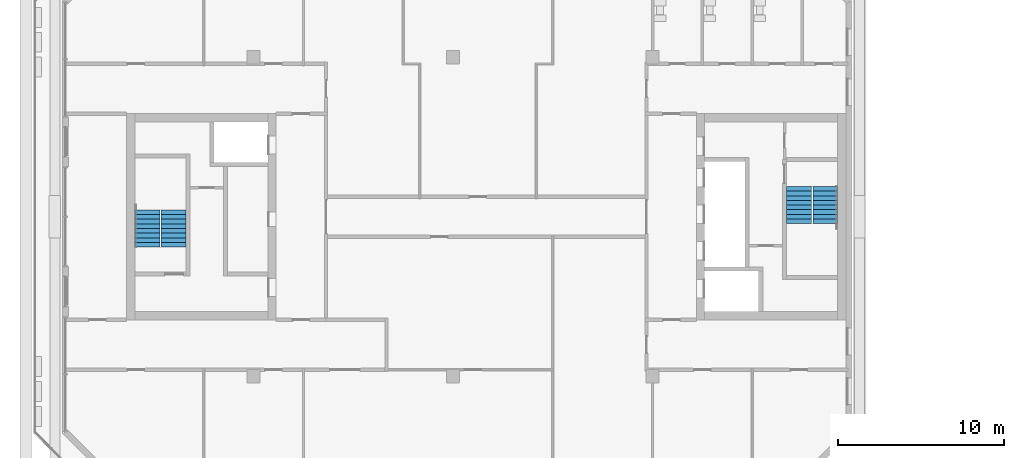
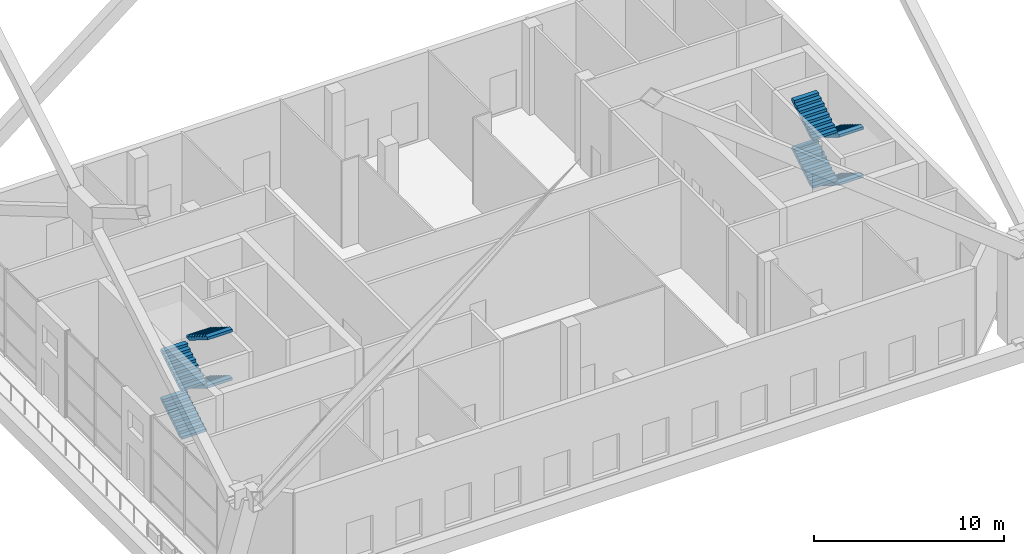
# One storey, part 18 of 20: 8 stair flights, 2 elements without a shape of their own.
"""IFC4 building model written with IfcOpenShell, lengths in metres."""

from ifc_helpers import new_model, si_unit, direction, frame, origin, place, context, subcontext, project, spatial, faceted_brep, material, type_object, element, aggregate, save


model = new_model("IFC4")

# Units and contexts
model_context = context("Model", 3, precision=1e-05, world=origin(), true_north=direction((0.0, 1.0)))
body_context = subcontext(model_context, "Body", "Model", "MODEL_VIEW")
ifc_project = project(units=[si_unit("LENGTHUNIT", "METRE"), si_unit("AREAUNIT", "SQUARE_METRE"), si_unit("VOLUMEUNIT", "CUBIC_METRE"), si_unit("PLANEANGLEUNIT", "RADIAN"), si_unit("MASSUNIT", "GRAM", prefix="KILO")], contexts=[model_context])

# Site, building, storey
site_placement = place(None, origin())
site = spatial("IfcSite", under=ifc_project, at=site_placement, CompositionType="ELEMENT")
building_placement = place(site_placement, origin())
building = spatial("IfcBuilding", under=site, at=building_placement, Name="Tuart Gate Housing", CompositionType="ELEMENT")
storey_placement = place(building_placement, frame((0.0, 0.0, 142.300048828125)))
storey = spatial("IfcBuildingStorey", under=building, at=storey_placement, Name="L40", CompositionType="ELEMENT", Elevation=142.300048828125)

# Stair, stair flights
ifc_material_1 = material(Name="Concrete C40", Category="concrete")
stair_type = type_object("IfcStairType", Name="Core stair 1500", PredefinedType="HALF_TURN_STAIR", material=ifc_material_1)
stair_1_placement = place(storey_placement, origin())
stair_1 = element("IfcStair", 1, at=stair_1_placement, inside=storey, type_object=stair_type, Name="Stair SA1", PredefinedType="HALF_TURN_STAIR")
ifc_material_2 = material(Name="Concrete C40", Category="concrete")
stair_flight_type = type_object("IfcStairFlightType", Name="Stair flight 1500, 9 risers 172 x 280", PredefinedType="STRAIGHT", material=ifc_material_2)
stair_flight_1_placement = place(storey_placement, frame((74.389892578125, 71.824951171875, 0.0), z_axis=(0.0, 0.0, 1.0), x_axis=(0.0, -1.0, 0.0)))
stair_flight_1 = element("IfcStairFlight", 2, at=stair_flight_1_placement, type_object=stair_flight_type, Name="SA1 flight 1", NumberOfRisers=9, NumberOfTreads=8, PredefinedType="STRAIGHT", RiserHeight=0.172222222, TreadLength=0.28, context=body_context, shape_type="Brep", body=[
    faceted_brep([(0.0, 0.75, 0.0), (0.0, 0.75, 0.172119140625), (0.280029296875, 0.75, 0.172119140625), (0.280029296875, 0.75, 0.344482421875), (0.56005859375, 0.75, 0.344482421875), (0.56005859375, 0.75, 0.5166015625), (0.840087890625, 0.75, 0.5166015625), (0.840087890625, 0.75, 0.68896484375), (1.1201171875, 0.75, 0.68896484375), (1.1201171875, 0.75, 0.861083984375), (1.39990234375, 0.75, 0.861083984375), (1.39990234375, 0.75, 1.033447265625), (1.679931640625, 0.75, 1.033447265625), (1.679931640625, 0.75, 1.20556640625), (1.9599609375, 0.75, 1.20556640625), (1.9599609375, 0.75, 1.377685546875), (2.239990234375, 0.75, 1.377685546875), (2.239990234375, 0.75, 1.201904296875), (0.2861328125, 0.75, 0.0), (0.2861328125, -0.75, 0.0), (2.239990234375, -0.75, 1.201904296875), (2.239990234375, -0.75, 1.377685546875), (1.9599609375, -0.75, 1.377685546875), (1.9599609375, -0.75, 1.20556640625), (1.679931640625, -0.75, 1.20556640625), (1.679931640625, -0.75, 1.033447265625), (1.39990234375, -0.75, 1.033447265625), (1.39990234375, -0.75, 0.861083984375), (1.1201171875, -0.75, 0.861083984375), (1.1201171875, -0.75, 0.68896484375), (0.840087890625, -0.75, 0.68896484375), (0.840087890625, -0.75, 0.5166015625), (0.56005859375, -0.75, 0.5166015625), (0.56005859375, -0.75, 0.344482421875), (0.280029296875, -0.75, 0.344482421875), (0.280029296875, -0.75, 0.172119140625), (0.0, -0.75, 0.172119140625), (0.0, -0.75, 0.0), (2.239990234375, 0.0, 1.201904296875), (0.2861328125, 0.0, 0.0), (2.239990234375, 0.0, 1.377685546875), (1.9599609375, 0.0, 1.377685546875), (1.9599609375, 0.0, 1.20556640625), (1.679931640625, 0.0, 1.20556640625), (1.679931640625, 0.0, 1.033447265625), (1.39990234375, 0.0, 1.033447265625), (1.39990234375, 0.0, 0.861083984375), (1.1201171875, 0.0, 0.861083984375), (1.1201171875, 0.0, 0.68896484375), (0.840087890625, 0.0, 0.68896484375), (0.840087890625, 0.0, 0.5166015625), (0.56005859375, 0.0, 0.5166015625), (0.56005859375, 0.0, 0.344482421875), (0.280029296875, 0.0, 0.344482421875), (0.280029296875, 0.0, 0.172119140625), (0.0, 0.0, 0.172119140625), (0.0, 0.0, 0.0)], [[[0, 1, 2, 3, 4, 5, 6, 7, 8, 9, 10, 11, 12, 13, 14, 15, 16, 17, 18]], [[19, 20, 21, 22, 23, 24, 25, 26, 27, 28, 29, 30, 31, 32, 33, 34, 35, 36, 37]], [[18, 17, 38, 39]], [[39, 38, 20, 19]], [[17, 16, 40, 38]], [[38, 40, 21, 20]], [[16, 15, 41, 40]], [[40, 41, 22, 21]], [[15, 14, 42, 41]], [[41, 42, 23, 22]], [[14, 13, 43, 42]], [[42, 43, 24, 23]], [[13, 12, 44, 43]], [[43, 44, 25, 24]], [[12, 11, 45, 44]], [[44, 45, 26, 25]], [[11, 10, 46, 45]], [[45, 46, 27, 26]], [[10, 9, 47, 46]], [[46, 47, 28, 27]], [[9, 8, 48, 47]], [[47, 48, 29, 28]], [[8, 7, 49, 48]], [[48, 49, 30, 29]], [[7, 6, 50, 49]], [[49, 50, 31, 30]], [[6, 5, 51, 50]], [[50, 51, 32, 31]], [[5, 4, 52, 51]], [[51, 52, 33, 32]], [[4, 3, 53, 52]], [[52, 53, 34, 33]], [[3, 2, 54, 53]], [[53, 54, 35, 34]], [[2, 1, 55, 54]], [[54, 55, 36, 35]], [[1, 0, 56, 55]], [[55, 56, 37, 36]], [[0, 18, 39, 56]], [[56, 39, 19, 37]]]),
])
stair_flight_2_placement = place(storey_placement, frame((72.81494140625, 69.5849609375, 1.550048828125), z_axis=(0.0, 0.0, 1.0), x_axis=(0.0, 1.0, 0.0)))
stair_flight_2 = element("IfcStairFlight", 3, at=stair_flight_2_placement, type_object=stair_flight_type, Name="SA1 flight 2", NumberOfRisers=9, NumberOfTreads=8, PredefinedType="STRAIGHT", RiserHeight=0.172222222, TreadLength=0.28, context=body_context, shape_type="Brep", body=[
    faceted_brep([(0.0, 0.75, 0.0), (0.0, 0.75, 0.172119140625), (0.280029296875, 0.75, 0.172119140625), (0.280029296875, 0.75, 0.344482421875), (0.56005859375, 0.75, 0.344482421875), (0.56005859375, 0.75, 0.5166015625), (0.840087890625, 0.75, 0.5166015625), (0.840087890625, 0.75, 0.68896484375), (1.1201171875, 0.75, 0.68896484375), (1.1201171875, 0.75, 0.861083984375), (1.39990234375, 0.75, 0.861083984375), (1.39990234375, 0.75, 1.033447265625), (1.679931640625, 0.75, 1.033447265625), (1.679931640625, 0.75, 1.20556640625), (1.9599609375, 0.75, 1.20556640625), (1.9599609375, 0.75, 1.377685546875), (2.239990234375, 0.75, 1.377685546875), (2.239990234375, 0.75, 1.201904296875), (0.2861328125, 0.75, 0.0), (0.2861328125, -0.75, 0.0), (2.239990234375, -0.75, 1.201904296875), (2.239990234375, -0.75, 1.377685546875), (1.9599609375, -0.75, 1.377685546875), (1.9599609375, -0.75, 1.20556640625), (1.679931640625, -0.75, 1.20556640625), (1.679931640625, -0.75, 1.033447265625), (1.39990234375, -0.75, 1.033447265625), (1.39990234375, -0.75, 0.861083984375), (1.1201171875, -0.75, 0.861083984375), (1.1201171875, -0.75, 0.68896484375), (0.840087890625, -0.75, 0.68896484375), (0.840087890625, -0.75, 0.5166015625), (0.56005859375, -0.75, 0.5166015625), (0.56005859375, -0.75, 0.344482421875), (0.280029296875, -0.75, 0.344482421875), (0.280029296875, -0.75, 0.172119140625), (0.0, -0.75, 0.172119140625), (0.0, -0.75, 0.0), (2.239990234375, 0.0, 1.201904296875), (0.2861328125, 0.0, 0.0), (2.239990234375, 0.0, 1.377685546875), (1.9599609375, 0.0, 1.377685546875), (1.9599609375, 0.0, 1.20556640625), (1.679931640625, 0.0, 1.20556640625), (1.679931640625, 0.0, 1.033447265625), (1.39990234375, 0.0, 1.033447265625), (1.39990234375, 0.0, 0.861083984375), (1.1201171875, 0.0, 0.861083984375), (1.1201171875, 0.0, 0.68896484375), (0.840087890625, 0.0, 0.68896484375), (0.840087890625, 0.0, 0.5166015625), (0.56005859375, 0.0, 0.5166015625), (0.56005859375, 0.0, 0.344482421875), (0.280029296875, 0.0, 0.344482421875), (0.280029296875, 0.0, 0.172119140625), (0.0, 0.0, 0.172119140625), (0.0, 0.0, 0.0)], [[[0, 1, 2, 3, 4, 5, 6, 7, 8, 9, 10, 11, 12, 13, 14, 15, 16, 17, 18]], [[19, 20, 21, 22, 23, 24, 25, 26, 27, 28, 29, 30, 31, 32, 33, 34, 35, 36, 37]], [[18, 17, 38, 39]], [[39, 38, 20, 19]], [[17, 16, 40, 38]], [[38, 40, 21, 20]], [[16, 15, 41, 40]], [[40, 41, 22, 21]], [[15, 14, 42, 41]], [[41, 42, 23, 22]], [[14, 13, 43, 42]], [[42, 43, 24, 23]], [[13, 12, 44, 43]], [[43, 44, 25, 24]], [[12, 11, 45, 44]], [[44, 45, 26, 25]], [[11, 10, 46, 45]], [[45, 46, 27, 26]], [[10, 9, 47, 46]], [[46, 47, 28, 27]], [[9, 8, 48, 47]], [[47, 48, 29, 28]], [[8, 7, 49, 48]], [[48, 49, 30, 29]], [[7, 6, 50, 49]], [[49, 50, 31, 30]], [[6, 5, 51, 50]], [[50, 51, 32, 31]], [[5, 4, 52, 51]], [[51, 52, 33, 32]], [[4, 3, 53, 52]], [[52, 53, 34, 33]], [[3, 2, 54, 53]], [[53, 54, 35, 34]], [[2, 1, 55, 54]], [[54, 55, 36, 35]], [[1, 0, 56, 55]], [[55, 56, 37, 36]], [[0, 18, 39, 56]], [[56, 39, 19, 37]]]),
])
stair_flight_3_placement = place(storey_placement, frame((74.389892578125, 71.824951171875, 3.099853515625), z_axis=(0.0, 0.0, 1.0), x_axis=(0.0, -1.0, 0.0)))
stair_flight_3 = element("IfcStairFlight", 4, at=stair_flight_3_placement, type_object=stair_flight_type, Name="SA1 flight 3", NumberOfRisers=9, NumberOfTreads=8, PredefinedType="STRAIGHT", RiserHeight=0.172222222, TreadLength=0.28, context=body_context, shape_type="Brep", body=[
    faceted_brep([(0.0, 0.75, 0.0), (0.0, 0.75, 0.172119140625), (0.280029296875, 0.75, 0.172119140625), (0.280029296875, 0.75, 0.344482421875), (0.56005859375, 0.75, 0.344482421875), (0.56005859375, 0.75, 0.5166015625), (0.840087890625, 0.75, 0.5166015625), (0.840087890625, 0.75, 0.68896484375), (1.1201171875, 0.75, 0.68896484375), (1.1201171875, 0.75, 0.861083984375), (1.39990234375, 0.75, 0.861083984375), (1.39990234375, 0.75, 1.033447265625), (1.679931640625, 0.75, 1.033447265625), (1.679931640625, 0.75, 1.20556640625), (1.9599609375, 0.75, 1.20556640625), (1.9599609375, 0.75, 1.377685546875), (2.239990234375, 0.75, 1.377685546875), (2.239990234375, 0.75, 1.201904296875), (0.2861328125, 0.75, 0.0), (0.2861328125, -0.75, 0.0), (2.239990234375, -0.75, 1.201904296875), (2.239990234375, -0.75, 1.377685546875), (1.9599609375, -0.75, 1.377685546875), (1.9599609375, -0.75, 1.20556640625), (1.679931640625, -0.75, 1.20556640625), (1.679931640625, -0.75, 1.033447265625), (1.39990234375, -0.75, 1.033447265625), (1.39990234375, -0.75, 0.861083984375), (1.1201171875, -0.75, 0.861083984375), (1.1201171875, -0.75, 0.68896484375), (0.840087890625, -0.75, 0.68896484375), (0.840087890625, -0.75, 0.5166015625), (0.56005859375, -0.75, 0.5166015625), (0.56005859375, -0.75, 0.344482421875), (0.280029296875, -0.75, 0.344482421875), (0.280029296875, -0.75, 0.172119140625), (0.0, -0.75, 0.172119140625), (0.0, -0.75, 0.0), (2.239990234375, 0.0, 1.201904296875), (0.2861328125, 0.0, 0.0), (2.239990234375, 0.0, 1.377685546875), (1.9599609375, 0.0, 1.377685546875), (1.9599609375, 0.0, 1.20556640625), (1.679931640625, 0.0, 1.20556640625), (1.679931640625, 0.0, 1.033447265625), (1.39990234375, 0.0, 1.033447265625), (1.39990234375, 0.0, 0.861083984375), (1.1201171875, 0.0, 0.861083984375), (1.1201171875, 0.0, 0.68896484375), (0.840087890625, 0.0, 0.68896484375), (0.840087890625, 0.0, 0.5166015625), (0.56005859375, 0.0, 0.5166015625), (0.56005859375, 0.0, 0.344482421875), (0.280029296875, 0.0, 0.344482421875), (0.280029296875, 0.0, 0.172119140625), (0.0, 0.0, 0.172119140625), (0.0, 0.0, 0.0)], [[[0, 1, 2, 3, 4, 5, 6, 7, 8, 9, 10, 11, 12, 13, 14, 15, 16, 17, 18]], [[19, 20, 21, 22, 23, 24, 25, 26, 27, 28, 29, 30, 31, 32, 33, 34, 35, 36, 37]], [[18, 17, 38, 39]], [[39, 38, 20, 19]], [[17, 16, 40, 38]], [[38, 40, 21, 20]], [[16, 15, 41, 40]], [[40, 41, 22, 21]], [[15, 14, 42, 41]], [[41, 42, 23, 22]], [[14, 13, 43, 42]], [[42, 43, 24, 23]], [[13, 12, 44, 43]], [[43, 44, 25, 24]], [[12, 11, 45, 44]], [[44, 45, 26, 25]], [[11, 10, 46, 45]], [[45, 46, 27, 26]], [[10, 9, 47, 46]], [[46, 47, 28, 27]], [[9, 8, 48, 47]], [[47, 48, 29, 28]], [[8, 7, 49, 48]], [[48, 49, 30, 29]], [[7, 6, 50, 49]], [[49, 50, 31, 30]], [[6, 5, 51, 50]], [[50, 51, 32, 31]], [[5, 4, 52, 51]], [[51, 52, 33, 32]], [[4, 3, 53, 52]], [[52, 53, 34, 33]], [[3, 2, 54, 53]], [[53, 54, 35, 34]], [[2, 1, 55, 54]], [[54, 55, 36, 35]], [[1, 0, 56, 55]], [[55, 56, 37, 36]], [[0, 18, 39, 56]], [[56, 39, 19, 37]]]),
])
stair_flight_4_placement = place(storey_placement, frame((72.81494140625, 69.5849609375, 4.64990234375), z_axis=(0.0, 0.0, 1.0), x_axis=(0.0, 1.0, 0.0)))
stair_flight_4 = element("IfcStairFlight", 5, at=stair_flight_4_placement, type_object=stair_flight_type, Name="SA1 flight 4", NumberOfRisers=9, NumberOfTreads=8, PredefinedType="STRAIGHT", RiserHeight=0.172222222, TreadLength=0.28, context=body_context, shape_type="Brep", body=[
    faceted_brep([(0.0, 0.75, 0.0), (0.0, 0.75, 0.172119140625), (0.280029296875, 0.75, 0.172119140625), (0.280029296875, 0.75, 0.344482421875), (0.56005859375, 0.75, 0.344482421875), (0.56005859375, 0.75, 0.5166015625), (0.840087890625, 0.75, 0.5166015625), (0.840087890625, 0.75, 0.68896484375), (1.1201171875, 0.75, 0.68896484375), (1.1201171875, 0.75, 0.861083984375), (1.39990234375, 0.75, 0.861083984375), (1.39990234375, 0.75, 1.033447265625), (1.679931640625, 0.75, 1.033447265625), (1.679931640625, 0.75, 1.20556640625), (1.9599609375, 0.75, 1.20556640625), (1.9599609375, 0.75, 1.377685546875), (2.239990234375, 0.75, 1.377685546875), (2.239990234375, 0.75, 1.201904296875), (0.2861328125, 0.75, 0.0), (0.2861328125, -0.75, 0.0), (2.239990234375, -0.75, 1.201904296875), (2.239990234375, -0.75, 1.377685546875), (1.9599609375, -0.75, 1.377685546875), (1.9599609375, -0.75, 1.20556640625), (1.679931640625, -0.75, 1.20556640625), (1.679931640625, -0.75, 1.033447265625), (1.39990234375, -0.75, 1.033447265625), (1.39990234375, -0.75, 0.861083984375), (1.1201171875, -0.75, 0.861083984375), (1.1201171875, -0.75, 0.68896484375), (0.840087890625, -0.75, 0.68896484375), (0.840087890625, -0.75, 0.5166015625), (0.56005859375, -0.75, 0.5166015625), (0.56005859375, -0.75, 0.344482421875), (0.280029296875, -0.75, 0.344482421875), (0.280029296875, -0.75, 0.172119140625), (0.0, -0.75, 0.172119140625), (0.0, -0.75, 0.0), (2.239990234375, 0.0, 1.201904296875), (0.2861328125, 0.0, 0.0), (2.239990234375, 0.0, 1.377685546875), (1.9599609375, 0.0, 1.377685546875), (1.9599609375, 0.0, 1.20556640625), (1.679931640625, 0.0, 1.20556640625), (1.679931640625, 0.0, 1.033447265625), (1.39990234375, 0.0, 1.033447265625), (1.39990234375, 0.0, 0.861083984375), (1.1201171875, 0.0, 0.861083984375), (1.1201171875, 0.0, 0.68896484375), (0.840087890625, 0.0, 0.68896484375), (0.840087890625, 0.0, 0.5166015625), (0.56005859375, 0.0, 0.5166015625), (0.56005859375, 0.0, 0.344482421875), (0.280029296875, 0.0, 0.344482421875), (0.280029296875, 0.0, 0.172119140625), (0.0, 0.0, 0.172119140625), (0.0, 0.0, 0.0)], [[[0, 1, 2, 3, 4, 5, 6, 7, 8, 9, 10, 11, 12, 13, 14, 15, 16, 17, 18]], [[19, 20, 21, 22, 23, 24, 25, 26, 27, 28, 29, 30, 31, 32, 33, 34, 35, 36, 37]], [[18, 17, 38, 39]], [[39, 38, 20, 19]], [[17, 16, 40, 38]], [[38, 40, 21, 20]], [[16, 15, 41, 40]], [[40, 41, 22, 21]], [[15, 14, 42, 41]], [[41, 42, 23, 22]], [[14, 13, 43, 42]], [[42, 43, 24, 23]], [[13, 12, 44, 43]], [[43, 44, 25, 24]], [[12, 11, 45, 44]], [[44, 45, 26, 25]], [[11, 10, 46, 45]], [[45, 46, 27, 26]], [[10, 9, 47, 46]], [[46, 47, 28, 27]], [[9, 8, 48, 47]], [[47, 48, 29, 28]], [[8, 7, 49, 48]], [[48, 49, 30, 29]], [[7, 6, 50, 49]], [[49, 50, 31, 30]], [[6, 5, 51, 50]], [[50, 51, 32, 31]], [[5, 4, 52, 51]], [[51, 52, 33, 32]], [[4, 3, 53, 52]], [[52, 53, 34, 33]], [[3, 2, 54, 53]], [[53, 54, 35, 34]], [[2, 1, 55, 54]], [[54, 55, 36, 35]], [[1, 0, 56, 55]], [[55, 56, 37, 36]], [[0, 18, 39, 56]], [[56, 39, 19, 37]]]),
])
aggregate(stair_1, [stair_flight_1, stair_flight_2, stair_flight_3, stair_flight_4])

stair_2_placement = place(storey_placement, origin())
stair_2 = element("IfcStair", 6, at=stair_2_placement, inside=storey, type_object=stair_type, Name="Stair SA2", PredefinedType="HALF_TURN_STAIR")
stair_flight_5_placement = place(storey_placement, frame((33.610107421875, 68.175048828125, 0.0), z_axis=(0.0, 0.0, 1.0), x_axis=(0.0, 1.0, 0.0)))
stair_flight_5 = element("IfcStairFlight", 7, at=stair_flight_5_placement, type_object=stair_flight_type, Name="SA2 flight 1", NumberOfRisers=9, NumberOfTreads=8, PredefinedType="STRAIGHT", RiserHeight=0.172222222, TreadLength=0.28, context=body_context, shape_type="Brep", body=[
    faceted_brep([(0.0, 0.75, 0.0), (0.0, 0.75, 0.172119140625), (0.280029296875, 0.75, 0.172119140625), (0.280029296875, 0.75, 0.344482421875), (0.56005859375, 0.75, 0.344482421875), (0.56005859375, 0.75, 0.5166015625), (0.840087890625, 0.75, 0.5166015625), (0.840087890625, 0.75, 0.68896484375), (1.1201171875, 0.75, 0.68896484375), (1.1201171875, 0.75, 0.861083984375), (1.39990234375, 0.75, 0.861083984375), (1.39990234375, 0.75, 1.033447265625), (1.679931640625, 0.75, 1.033447265625), (1.679931640625, 0.75, 1.20556640625), (1.9599609375, 0.75, 1.20556640625), (1.9599609375, 0.75, 1.377685546875), (2.239990234375, 0.75, 1.377685546875), (2.239990234375, 0.75, 1.201904296875), (0.2861328125, 0.75, 0.0), (0.2861328125, -0.75, 0.0), (2.239990234375, -0.75, 1.201904296875), (2.239990234375, -0.75, 1.377685546875), (1.9599609375, -0.75, 1.377685546875), (1.9599609375, -0.75, 1.20556640625), (1.679931640625, -0.75, 1.20556640625), (1.679931640625, -0.75, 1.033447265625), (1.39990234375, -0.75, 1.033447265625), (1.39990234375, -0.75, 0.861083984375), (1.1201171875, -0.75, 0.861083984375), (1.1201171875, -0.75, 0.68896484375), (0.840087890625, -0.75, 0.68896484375), (0.840087890625, -0.75, 0.5166015625), (0.56005859375, -0.75, 0.5166015625), (0.56005859375, -0.75, 0.344482421875), (0.280029296875, -0.75, 0.344482421875), (0.280029296875, -0.75, 0.172119140625), (0.0, -0.75, 0.172119140625), (0.0, -0.75, 0.0), (2.239990234375, 0.0, 1.201904296875), (0.2861328125, 0.0, 0.0), (2.239990234375, 0.0, 1.377685546875), (1.9599609375, 0.0, 1.377685546875), (1.9599609375, 0.0, 1.20556640625), (1.679931640625, 0.0, 1.20556640625), (1.679931640625, 0.0, 1.033447265625), (1.39990234375, 0.0, 1.033447265625), (1.39990234375, 0.0, 0.861083984375), (1.1201171875, 0.0, 0.861083984375), (1.1201171875, 0.0, 0.68896484375), (0.840087890625, 0.0, 0.68896484375), (0.840087890625, 0.0, 0.5166015625), (0.56005859375, 0.0, 0.5166015625), (0.56005859375, 0.0, 0.344482421875), (0.280029296875, 0.0, 0.344482421875), (0.280029296875, 0.0, 0.172119140625), (0.0, 0.0, 0.172119140625), (0.0, 0.0, 0.0)], [[[0, 1, 2, 3, 4, 5, 6, 7, 8, 9, 10, 11, 12, 13, 14, 15, 16, 17, 18]], [[19, 20, 21, 22, 23, 24, 25, 26, 27, 28, 29, 30, 31, 32, 33, 34, 35, 36, 37]], [[18, 17, 38, 39]], [[39, 38, 20, 19]], [[17, 16, 40, 38]], [[38, 40, 21, 20]], [[16, 15, 41, 40]], [[40, 41, 22, 21]], [[15, 14, 42, 41]], [[41, 42, 23, 22]], [[14, 13, 43, 42]], [[42, 43, 24, 23]], [[13, 12, 44, 43]], [[43, 44, 25, 24]], [[12, 11, 45, 44]], [[44, 45, 26, 25]], [[11, 10, 46, 45]], [[45, 46, 27, 26]], [[10, 9, 47, 46]], [[46, 47, 28, 27]], [[9, 8, 48, 47]], [[47, 48, 29, 28]], [[8, 7, 49, 48]], [[48, 49, 30, 29]], [[7, 6, 50, 49]], [[49, 50, 31, 30]], [[6, 5, 51, 50]], [[50, 51, 32, 31]], [[5, 4, 52, 51]], [[51, 52, 33, 32]], [[4, 3, 53, 52]], [[52, 53, 34, 33]], [[3, 2, 54, 53]], [[53, 54, 35, 34]], [[2, 1, 55, 54]], [[54, 55, 36, 35]], [[1, 0, 56, 55]], [[55, 56, 37, 36]], [[0, 18, 39, 56]], [[56, 39, 19, 37]]]),
])
stair_flight_6_placement = place(storey_placement, frame((35.18505859375, 70.4150390625, 1.550048828125), z_axis=(0.0, 0.0, 1.0), x_axis=(0.0, -1.0, 0.0)))
stair_flight_6 = element("IfcStairFlight", 8, at=stair_flight_6_placement, type_object=stair_flight_type, Name="SA2 flight 2", NumberOfRisers=9, NumberOfTreads=8, PredefinedType="STRAIGHT", RiserHeight=0.172222222, TreadLength=0.28, context=body_context, shape_type="Brep", body=[
    faceted_brep([(0.0, 0.75, 0.0), (0.0, 0.75, 0.172119140625), (0.280029296875, 0.75, 0.172119140625), (0.280029296875, 0.75, 0.344482421875), (0.56005859375, 0.75, 0.344482421875), (0.56005859375, 0.75, 0.5166015625), (0.840087890625, 0.75, 0.5166015625), (0.840087890625, 0.75, 0.68896484375), (1.1201171875, 0.75, 0.68896484375), (1.1201171875, 0.75, 0.861083984375), (1.39990234375, 0.75, 0.861083984375), (1.39990234375, 0.75, 1.033447265625), (1.679931640625, 0.75, 1.033447265625), (1.679931640625, 0.75, 1.20556640625), (1.9599609375, 0.75, 1.20556640625), (1.9599609375, 0.75, 1.377685546875), (2.239990234375, 0.75, 1.377685546875), (2.239990234375, 0.75, 1.201904296875), (0.2861328125, 0.75, 0.0), (0.2861328125, -0.75, 0.0), (2.239990234375, -0.75, 1.201904296875), (2.239990234375, -0.75, 1.377685546875), (1.9599609375, -0.75, 1.377685546875), (1.9599609375, -0.75, 1.20556640625), (1.679931640625, -0.75, 1.20556640625), (1.679931640625, -0.75, 1.033447265625), (1.39990234375, -0.75, 1.033447265625), (1.39990234375, -0.75, 0.861083984375), (1.1201171875, -0.75, 0.861083984375), (1.1201171875, -0.75, 0.68896484375), (0.840087890625, -0.75, 0.68896484375), (0.840087890625, -0.75, 0.5166015625), (0.56005859375, -0.75, 0.5166015625), (0.56005859375, -0.75, 0.344482421875), (0.280029296875, -0.75, 0.344482421875), (0.280029296875, -0.75, 0.172119140625), (0.0, -0.75, 0.172119140625), (0.0, -0.75, 0.0), (2.239990234375, 0.0, 1.201904296875), (0.2861328125, 0.0, 0.0), (2.239990234375, 0.0, 1.377685546875), (1.9599609375, 0.0, 1.377685546875), (1.9599609375, 0.0, 1.20556640625), (1.679931640625, 0.0, 1.20556640625), (1.679931640625, 0.0, 1.033447265625), (1.39990234375, 0.0, 1.033447265625), (1.39990234375, 0.0, 0.861083984375), (1.1201171875, 0.0, 0.861083984375), (1.1201171875, 0.0, 0.68896484375), (0.840087890625, 0.0, 0.68896484375), (0.840087890625, 0.0, 0.5166015625), (0.56005859375, 0.0, 0.5166015625), (0.56005859375, 0.0, 0.344482421875), (0.280029296875, 0.0, 0.344482421875), (0.280029296875, 0.0, 0.172119140625), (0.0, 0.0, 0.172119140625), (0.0, 0.0, 0.0)], [[[0, 1, 2, 3, 4, 5, 6, 7, 8, 9, 10, 11, 12, 13, 14, 15, 16, 17, 18]], [[19, 20, 21, 22, 23, 24, 25, 26, 27, 28, 29, 30, 31, 32, 33, 34, 35, 36, 37]], [[18, 17, 38, 39]], [[39, 38, 20, 19]], [[17, 16, 40, 38]], [[38, 40, 21, 20]], [[16, 15, 41, 40]], [[40, 41, 22, 21]], [[15, 14, 42, 41]], [[41, 42, 23, 22]], [[14, 13, 43, 42]], [[42, 43, 24, 23]], [[13, 12, 44, 43]], [[43, 44, 25, 24]], [[12, 11, 45, 44]], [[44, 45, 26, 25]], [[11, 10, 46, 45]], [[45, 46, 27, 26]], [[10, 9, 47, 46]], [[46, 47, 28, 27]], [[9, 8, 48, 47]], [[47, 48, 29, 28]], [[8, 7, 49, 48]], [[48, 49, 30, 29]], [[7, 6, 50, 49]], [[49, 50, 31, 30]], [[6, 5, 51, 50]], [[50, 51, 32, 31]], [[5, 4, 52, 51]], [[51, 52, 33, 32]], [[4, 3, 53, 52]], [[52, 53, 34, 33]], [[3, 2, 54, 53]], [[53, 54, 35, 34]], [[2, 1, 55, 54]], [[54, 55, 36, 35]], [[1, 0, 56, 55]], [[55, 56, 37, 36]], [[0, 18, 39, 56]], [[56, 39, 19, 37]]]),
])
stair_flight_7_placement = place(storey_placement, frame((33.610107421875, 68.175048828125, 3.099853515625), z_axis=(0.0, 0.0, 1.0), x_axis=(0.0, 1.0, 0.0)))
stair_flight_7 = element("IfcStairFlight", 9, at=stair_flight_7_placement, type_object=stair_flight_type, Name="SA2 flight 3", NumberOfRisers=9, NumberOfTreads=8, PredefinedType="STRAIGHT", RiserHeight=0.172222222, TreadLength=0.28, context=body_context, shape_type="Brep", body=[
    faceted_brep([(0.0, 0.75, 0.0), (0.0, 0.75, 0.172119140625), (0.280029296875, 0.75, 0.172119140625), (0.280029296875, 0.75, 0.344482421875), (0.56005859375, 0.75, 0.344482421875), (0.56005859375, 0.75, 0.5166015625), (0.840087890625, 0.75, 0.5166015625), (0.840087890625, 0.75, 0.68896484375), (1.1201171875, 0.75, 0.68896484375), (1.1201171875, 0.75, 0.861083984375), (1.39990234375, 0.75, 0.861083984375), (1.39990234375, 0.75, 1.033447265625), (1.679931640625, 0.75, 1.033447265625), (1.679931640625, 0.75, 1.20556640625), (1.9599609375, 0.75, 1.20556640625), (1.9599609375, 0.75, 1.377685546875), (2.239990234375, 0.75, 1.377685546875), (2.239990234375, 0.75, 1.201904296875), (0.2861328125, 0.75, 0.0), (0.2861328125, -0.75, 0.0), (2.239990234375, -0.75, 1.201904296875), (2.239990234375, -0.75, 1.377685546875), (1.9599609375, -0.75, 1.377685546875), (1.9599609375, -0.75, 1.20556640625), (1.679931640625, -0.75, 1.20556640625), (1.679931640625, -0.75, 1.033447265625), (1.39990234375, -0.75, 1.033447265625), (1.39990234375, -0.75, 0.861083984375), (1.1201171875, -0.75, 0.861083984375), (1.1201171875, -0.75, 0.68896484375), (0.840087890625, -0.75, 0.68896484375), (0.840087890625, -0.75, 0.5166015625), (0.56005859375, -0.75, 0.5166015625), (0.56005859375, -0.75, 0.344482421875), (0.280029296875, -0.75, 0.344482421875), (0.280029296875, -0.75, 0.172119140625), (0.0, -0.75, 0.172119140625), (0.0, -0.75, 0.0), (2.239990234375, 0.0, 1.201904296875), (0.2861328125, 0.0, 0.0), (2.239990234375, 0.0, 1.377685546875), (1.9599609375, 0.0, 1.377685546875), (1.9599609375, 0.0, 1.20556640625), (1.679931640625, 0.0, 1.20556640625), (1.679931640625, 0.0, 1.033447265625), (1.39990234375, 0.0, 1.033447265625), (1.39990234375, 0.0, 0.861083984375), (1.1201171875, 0.0, 0.861083984375), (1.1201171875, 0.0, 0.68896484375), (0.840087890625, 0.0, 0.68896484375), (0.840087890625, 0.0, 0.5166015625), (0.56005859375, 0.0, 0.5166015625), (0.56005859375, 0.0, 0.344482421875), (0.280029296875, 0.0, 0.344482421875), (0.280029296875, 0.0, 0.172119140625), (0.0, 0.0, 0.172119140625), (0.0, 0.0, 0.0)], [[[0, 1, 2, 3, 4, 5, 6, 7, 8, 9, 10, 11, 12, 13, 14, 15, 16, 17, 18]], [[19, 20, 21, 22, 23, 24, 25, 26, 27, 28, 29, 30, 31, 32, 33, 34, 35, 36, 37]], [[18, 17, 38, 39]], [[39, 38, 20, 19]], [[17, 16, 40, 38]], [[38, 40, 21, 20]], [[16, 15, 41, 40]], [[40, 41, 22, 21]], [[15, 14, 42, 41]], [[41, 42, 23, 22]], [[14, 13, 43, 42]], [[42, 43, 24, 23]], [[13, 12, 44, 43]], [[43, 44, 25, 24]], [[12, 11, 45, 44]], [[44, 45, 26, 25]], [[11, 10, 46, 45]], [[45, 46, 27, 26]], [[10, 9, 47, 46]], [[46, 47, 28, 27]], [[9, 8, 48, 47]], [[47, 48, 29, 28]], [[8, 7, 49, 48]], [[48, 49, 30, 29]], [[7, 6, 50, 49]], [[49, 50, 31, 30]], [[6, 5, 51, 50]], [[50, 51, 32, 31]], [[5, 4, 52, 51]], [[51, 52, 33, 32]], [[4, 3, 53, 52]], [[52, 53, 34, 33]], [[3, 2, 54, 53]], [[53, 54, 35, 34]], [[2, 1, 55, 54]], [[54, 55, 36, 35]], [[1, 0, 56, 55]], [[55, 56, 37, 36]], [[0, 18, 39, 56]], [[56, 39, 19, 37]]]),
])
stair_flight_8_placement = place(storey_placement, frame((35.18505859375, 70.4150390625, 4.64990234375), z_axis=(0.0, 0.0, 1.0), x_axis=(0.0, -1.0, 0.0)))
stair_flight_8 = element("IfcStairFlight", 10, at=stair_flight_8_placement, type_object=stair_flight_type, Name="SA2 flight 4", NumberOfRisers=9, NumberOfTreads=8, PredefinedType="STRAIGHT", RiserHeight=0.172222222, TreadLength=0.28, context=body_context, shape_type="Brep", body=[
    faceted_brep([(0.0, 0.75, 0.0), (0.0, 0.75, 0.172119140625), (0.280029296875, 0.75, 0.172119140625), (0.280029296875, 0.75, 0.344482421875), (0.56005859375, 0.75, 0.344482421875), (0.56005859375, 0.75, 0.5166015625), (0.840087890625, 0.75, 0.5166015625), (0.840087890625, 0.75, 0.68896484375), (1.1201171875, 0.75, 0.68896484375), (1.1201171875, 0.75, 0.861083984375), (1.39990234375, 0.75, 0.861083984375), (1.39990234375, 0.75, 1.033447265625), (1.679931640625, 0.75, 1.033447265625), (1.679931640625, 0.75, 1.20556640625), (1.9599609375, 0.75, 1.20556640625), (1.9599609375, 0.75, 1.377685546875), (2.239990234375, 0.75, 1.377685546875), (2.239990234375, 0.75, 1.201904296875), (0.2861328125, 0.75, 0.0), (0.2861328125, -0.75, 0.0), (2.239990234375, -0.75, 1.201904296875), (2.239990234375, -0.75, 1.377685546875), (1.9599609375, -0.75, 1.377685546875), (1.9599609375, -0.75, 1.20556640625), (1.679931640625, -0.75, 1.20556640625), (1.679931640625, -0.75, 1.033447265625), (1.39990234375, -0.75, 1.033447265625), (1.39990234375, -0.75, 0.861083984375), (1.1201171875, -0.75, 0.861083984375), (1.1201171875, -0.75, 0.68896484375), (0.840087890625, -0.75, 0.68896484375), (0.840087890625, -0.75, 0.5166015625), (0.56005859375, -0.75, 0.5166015625), (0.56005859375, -0.75, 0.344482421875), (0.280029296875, -0.75, 0.344482421875), (0.280029296875, -0.75, 0.172119140625), (0.0, -0.75, 0.172119140625), (0.0, -0.75, 0.0), (2.239990234375, 0.0, 1.201904296875), (0.2861328125, 0.0, 0.0), (2.239990234375, 0.0, 1.377685546875), (1.9599609375, 0.0, 1.377685546875), (1.9599609375, 0.0, 1.20556640625), (1.679931640625, 0.0, 1.20556640625), (1.679931640625, 0.0, 1.033447265625), (1.39990234375, 0.0, 1.033447265625), (1.39990234375, 0.0, 0.861083984375), (1.1201171875, 0.0, 0.861083984375), (1.1201171875, 0.0, 0.68896484375), (0.840087890625, 0.0, 0.68896484375), (0.840087890625, 0.0, 0.5166015625), (0.56005859375, 0.0, 0.5166015625), (0.56005859375, 0.0, 0.344482421875), (0.280029296875, 0.0, 0.344482421875), (0.280029296875, 0.0, 0.172119140625), (0.0, 0.0, 0.172119140625), (0.0, 0.0, 0.0)], [[[0, 1, 2, 3, 4, 5, 6, 7, 8, 9, 10, 11, 12, 13, 14, 15, 16, 17, 18]], [[19, 20, 21, 22, 23, 24, 25, 26, 27, 28, 29, 30, 31, 32, 33, 34, 35, 36, 37]], [[18, 17, 38, 39]], [[39, 38, 20, 19]], [[17, 16, 40, 38]], [[38, 40, 21, 20]], [[16, 15, 41, 40]], [[40, 41, 22, 21]], [[15, 14, 42, 41]], [[41, 42, 23, 22]], [[14, 13, 43, 42]], [[42, 43, 24, 23]], [[13, 12, 44, 43]], [[43, 44, 25, 24]], [[12, 11, 45, 44]], [[44, 45, 26, 25]], [[11, 10, 46, 45]], [[45, 46, 27, 26]], [[10, 9, 47, 46]], [[46, 47, 28, 27]], [[9, 8, 48, 47]], [[47, 48, 29, 28]], [[8, 7, 49, 48]], [[48, 49, 30, 29]], [[7, 6, 50, 49]], [[49, 50, 31, 30]], [[6, 5, 51, 50]], [[50, 51, 32, 31]], [[5, 4, 52, 51]], [[51, 52, 33, 32]], [[4, 3, 53, 52]], [[52, 53, 34, 33]], [[3, 2, 54, 53]], [[53, 54, 35, 34]], [[2, 1, 55, 54]], [[54, 55, 36, 35]], [[1, 0, 56, 55]], [[55, 56, 37, 36]], [[0, 18, 39, 56]], [[56, 39, 19, 37]]]),
])
aggregate(stair_2, [stair_flight_5, stair_flight_6, stair_flight_7, stair_flight_8])

save(model, "model.ifc")
